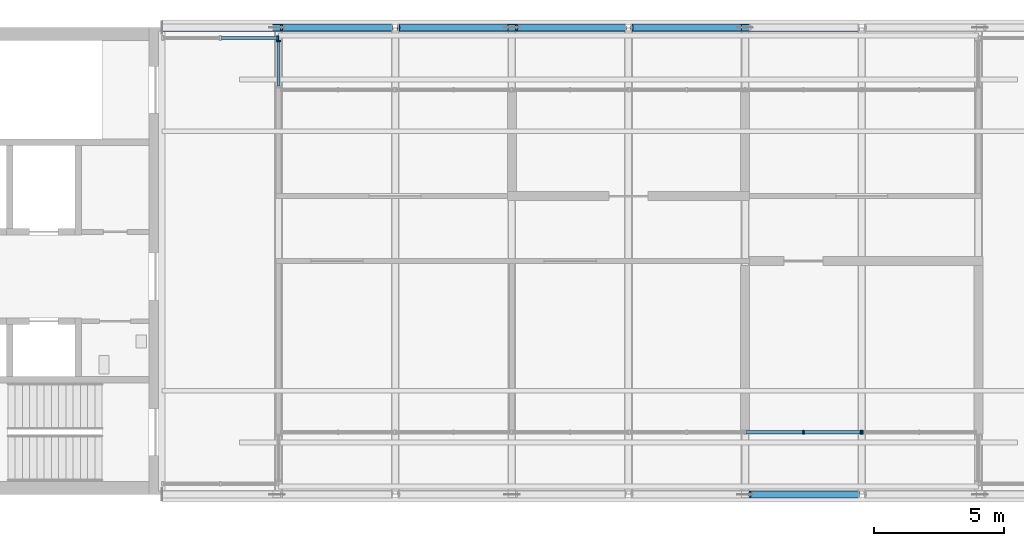
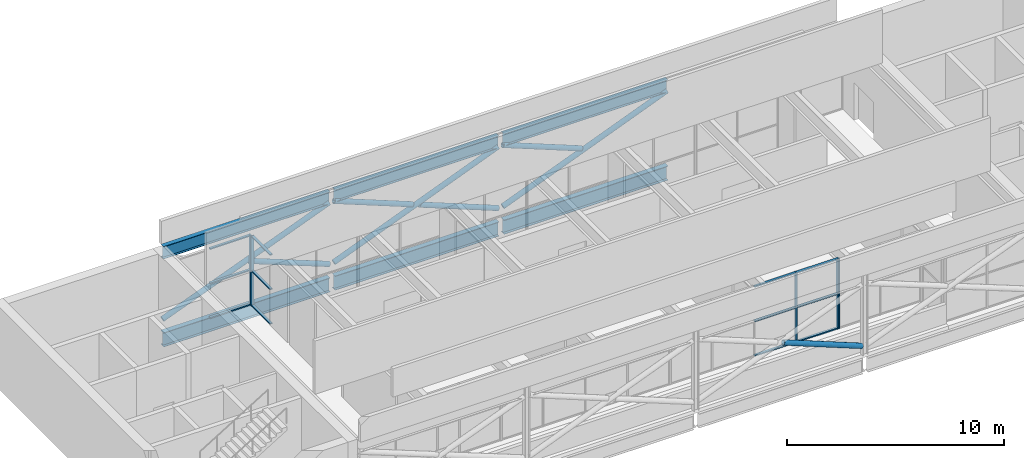
# One storey, part 3 of 13: 25 members, 6 beams, 4 elements without a shape of their own.
"""IFC4 building model written with IfcOpenShell, lengths in metres."""

from ifc_helpers import new_model, si_unit, direction, frame, origin, origin_2d, place, context, subcontext, project, spatial, rectangle, hollow_circle, i_section, extrude, material, layer, layer_set, material_profile, profile_set, type_object, element, aggregate, save


model = new_model("IFC4")

# Units and contexts
model_context = context("Model", 3, precision=1e-05, world=origin(), true_north=direction((0.0, 1.0)))
body_context = subcontext(model_context, "Body", "Model", "MODEL_VIEW")
ifc_project = project(units=[si_unit("LENGTHUNIT", "METRE"), si_unit("AREAUNIT", "SQUARE_METRE"), si_unit("VOLUMEUNIT", "CUBIC_METRE"), si_unit("PLANEANGLEUNIT", "RADIAN"), si_unit("MASSUNIT", "GRAM", prefix="KILO")], contexts=[model_context])

# Site, building, storey
site_placement = place(None, origin())
site = spatial("IfcSite", under=ifc_project, at=site_placement, CompositionType="ELEMENT")
building_placement = place(site_placement, origin())
building = spatial("IfcBuilding", under=site, at=building_placement, Name="Corbel Yard City Hall", CompositionType="ELEMENT")
storey_placement = place(building_placement, frame((0.0, 0.0, 71.199951171875)))
storey = spatial("IfcBuildingStorey", under=building, at=storey_placement, Name="L17", CompositionType="ELEMENT", Elevation=71.199951171875)

# Members
ifc_material_1 = material(Name="Steel Grade C350L0", Category="steel")
ifc_material_profile_1 = material_profile(ifc_material_1, hollow_circle(Radius=0.136474609375, WallThickness=0.00927734375, at=origin_2d()), Name="273.1x9.3CHS")
ifc_profile_set_1 = profile_set([ifc_material_profile_1], Name="Steel Grade C350L0")
member_type_1 = type_object("IfcMemberType", Name="Crown brace 273.1x9.3CHS", PredefinedType="BRACE", material=ifc_profile_set_1)
member_1_placement = place(storey_placement, frame((9.0, 117.0, 0.5), z_axis=(0.93155453229, 0.0, 0.363601641044), x_axis=(0.0, 1.0, 0.0)))
element("IfcMember", 1, at=member_1_placement, inside=storey, type_object=member_type_1, Name="Crown brace 273.1x9.3CHS BX1", PredefinedType="BRACE", context=body_context, shape_type="SweptSolid", body=[
    extrude(hollow_circle(Radius=0.136474609375, WallThickness=0.00927734375, at=origin_2d()), origin(), (0.0, 0.0, 1.0), 9.521728515625),
])
for number, where, z_axis, x_axis, name in (
    (2, (18.1298828125, 117.0, 0.5), (0.929716231841, 0.0, 0.368276700663), (0.0, 1.0, 0.0), "Crown brace 273.1x9.3CHS BX1"),
    (3, (27.1298828125, 117.0, 0.5), (0.929716231841, 0.0, 0.368276700663), (0.0, 1.0, 0.0), "Crown brace 273.1x9.3CHS BX1"),
):
    element("IfcMember", number, at=place(storey_placement, frame(where, z_axis=z_axis, x_axis=x_axis)), inside=storey, type_object=member_type_1, Name=name, PredefinedType="BRACE", context=body_context, shape_type="SweptSolid", body=[
        extrude(hollow_circle(Radius=0.136474609375, WallThickness=0.00927734375, at=origin_2d()), origin(), (0.0, 0.0, 1.0), 9.40087890625),
    ])
ifc_material_profile_2 = material_profile(ifc_material_1, hollow_circle(Radius=0.136474609375, WallThickness=0.00927734375, at=origin_2d()), Name="273.1x9.3CHS")
ifc_profile_set_2 = profile_set([ifc_material_profile_2], Name="Steel Grade C350L0")
member_type_2 = type_object("IfcMemberType", Name="Crown half brace 273.1x9.3CHS", PredefinedType="BRACE", material=ifc_profile_set_2)
member_2_placement = place(storey_placement, frame((31.6826171875, 99.0, 2.15869140625), z_axis=(0.929720022455, 0.0, -0.368267131096), x_axis=(0.0, 1.0, 0.0)))
element("IfcMember", 4, at=member_2_placement, inside=storey, type_object=member_type_2, Name="Crown half brace 273.1x9.3CHS BX2", PredefinedType="BRACE", context=body_context, shape_type="SweptSolid", body=[
    extrude(hollow_circle(Radius=0.136474609375, WallThickness=0.00927734375, at=origin_2d()), origin(), (0.0, 0.0, 1.0), 4.504150390625),
])
member_3_placement = place(storey_placement, frame((13.619873046875, 117.0, 2.158935546875), z_axis=(0.931555075549, 0.0, -0.363600249202), x_axis=(0.0, 1.0, 0.0)))
element("IfcMember", 5, at=member_3_placement, inside=storey, type_object=member_type_2, Name="Crown half brace 273.1x9.3CHS BX2", PredefinedType="BRACE", context=body_context, shape_type="SweptSolid", body=[
    extrude(hollow_circle(Radius=0.136474609375, WallThickness=0.00927734375, at=origin_2d()), origin(), (0.0, 0.0, 1.0), 4.5625),
])
for number, where, z_axis, x_axis, name in (
    (6, (18.1298828125, 117.0, 3.962158203125), (0.929720022455, 0.0, -0.368267131096), (0.0, 1.0, 0.0), "Crown half brace 273.1x9.3CHS BX2"),
    (7, (22.6826171875, 117.0, 2.15869140625), (0.929720022455, 0.0, -0.368267131096), (0.0, 1.0, 0.0), "Crown half brace 273.1x9.3CHS BX2"),
    (8, (27.1298828125, 117.0, 3.962158203125), (0.929720022455, 0.0, -0.368267131096), (0.0, 1.0, 0.0), "Crown half brace 273.1x9.3CHS BX2"),
):
    element("IfcMember", number, at=place(storey_placement, frame(where, z_axis=z_axis, x_axis=x_axis)), inside=storey, type_object=member_type_2, Name=name, PredefinedType="BRACE", context=body_context, shape_type="SweptSolid", body=[
        extrude(hollow_circle(Radius=0.136474609375, WallThickness=0.00927734375, at=origin_2d()), origin(), (0.0, 0.0, 1.0), 4.504150390625),
    ])

# Beams
ifc_material_2 = material(Name="Steel Grade 350", Category="steel")
ifc_material_profile_3 = material_profile(ifc_material_2, i_section(OverallWidth=0.25, OverallDepth=0.699951171875, WebThickness=0.010009765625, FlangeThickness=0.02001953125, at=origin_2d()), Name="700WB130")
ifc_profile_set_3 = profile_set([ifc_material_profile_3], Name="Steel Grade 350")
beam_type_1 = type_object("IfcBeamType", Name="Edge beam 700WB130", PredefinedType="BEAM", material=ifc_profile_set_3)
beam_1_placement = place(storey_placement, frame((9.0, 117.0, 4.300048828125), z_axis=(1.0, 0.0, 0.0), x_axis=(0.0, 1.0, 0.0)))
element("IfcBeam", 9, at=beam_1_placement, inside=storey, type_object=beam_type_1, Name="Edge beam 700WB130 EB9 L17roof", PredefinedType="BEAM", context=body_context, shape_type="SweptSolid", body=[
    extrude(i_section(OverallWidth=0.25, OverallDepth=0.699951171875, WebThickness=0.010009765625, FlangeThickness=0.02001953125, at=origin_2d()), origin(), (0.0, 0.0, 1.0), 8.8701171875),
])
for number, where, z_axis, x_axis, name in (
    (10, (18.1298828125, 117.0, 4.300048828125), (1.0, 0.0, 0.0), (0.0, 1.0, 0.0), "Edge beam 700WB130 EB9 L17roof"),
    (11, (27.1298828125, 117.0, 4.300048828125), (1.0, 0.0, 0.0), (0.0, 1.0, 0.0), "Edge beam 700WB130 EB9 L17roof"),
):
    element("IfcBeam", number, at=place(storey_placement, frame(where, z_axis=z_axis, x_axis=x_axis)), inside=storey, type_object=beam_type_1, Name=name, PredefinedType="BEAM", context=body_context, shape_type="SweptSolid", body=[
        extrude(i_section(OverallWidth=0.25, OverallDepth=0.699951171875, WebThickness=0.010009765625, FlangeThickness=0.02001953125, at=origin_2d()), origin(), (0.0, 0.0, 1.0), 8.740234375),
    ])
ifc_material_profile_4 = material_profile(ifc_material_2, i_section(OverallWidth=0.27490234375, OverallDepth=0.800048828125, WebThickness=0.010009765625, FlangeThickness=0.02001953125, at=origin_2d()), Name="800WB146")
ifc_profile_set_4 = profile_set([ifc_material_profile_4], Name="Steel Grade 350")
beam_type_2 = type_object("IfcBeamType", Name="Edge beam 800WB146", PredefinedType="BEAM", material=ifc_profile_set_4)
beam_2_placement = place(storey_placement, frame((9.0, 117.0, -0.599853515625), z_axis=(1.0, 0.0, 0.0), x_axis=(0.0, 1.0, 0.0)))
element("IfcBeam", 12, at=beam_2_placement, inside=storey, type_object=beam_type_2, Name="Edge beam 800WB146 EB11 L17tower", PredefinedType="BEAM", context=body_context, shape_type="SweptSolid", body=[
    extrude(i_section(OverallWidth=0.27490234375, OverallDepth=0.800048828125, WebThickness=0.010009765625, FlangeThickness=0.02001953125, at=origin_2d()), origin(), (0.0, 0.0, 1.0), 8.8701171875),
])
for number, where, z_axis, x_axis, name in (
    (13, (18.1298828125, 117.0, -0.599853515625), (1.0, 0.0, 0.0), (0.0, 1.0, 0.0), "Edge beam 800WB146 EB11 L17tower"),
    (14, (27.1298828125, 117.0, -0.599853515625), (1.0, 0.0, 0.0), (0.0, 1.0, 0.0), "Edge beam 800WB146 EB11 L17tower"),
):
    element("IfcBeam", number, at=place(storey_placement, frame(where, z_axis=z_axis, x_axis=x_axis)), inside=storey, type_object=beam_type_2, Name=name, PredefinedType="BEAM", context=body_context, shape_type="SweptSolid", body=[
        extrude(i_section(OverallWidth=0.27490234375, OverallDepth=0.800048828125, WebThickness=0.010009765625, FlangeThickness=0.02001953125, at=origin_2d()), origin(), (0.0, 0.0, 1.0), 8.740234375),
    ])

# Curtain wall, members
ifc_material_3 = material(Name="Aluminium extrusion", Category="aluminium")
ifc_layer = layer(ifc_material_3, 0.159912109375)
ifc_layer_set = layer_set([ifc_layer], Name="Aluminium extrusion")
curtain_wall_type = type_object("IfcCurtainWallType", Name="CW8", PredefinedType="USERDEFINED", material=ifc_layer_set)
curtain_wall_1_placement = place(storey_placement, origin())
curtain_wall_1 = element("IfcCurtainWall", 15, at=curtain_wall_1_placement, inside=storey, type_object=curtain_wall_type, Name="Curtain wall CW8 L17", ObjectType="CURTAIN WALL", PredefinedType="USERDEFINED")
ifc_material_profile_5 = material_profile(ifc_material_3, rectangle(XDim=0.159912109375, YDim=0.06494140625, at=origin_2d()), Name="160x65")
ifc_profile_set_5 = profile_set([ifc_material_profile_5], Name="Aluminium extrusion")
member_type_3 = type_object("IfcMemberType", Name="ML8", PredefinedType="MULLION", material=ifc_profile_set_5)
member_4_placement = place(storey_placement, frame((33.75, 101.39990234375, 0.0), z_axis=(0.0, 0.0, 1.0), x_axis=(0.0, 1.0, 0.0)))
member_4 = element("IfcMember", 16, at=member_4_placement, type_object=member_type_3, Name="CW8 mullion 4", PredefinedType="MULLION", context=body_context, shape_type="SweptSolid", body=[
    extrude(rectangle(XDim=0.159912109375, YDim=0.06494140625, at=origin_2d()), origin(), (0.0, 0.0, 1.0), 3.949951171875),
])
member_5_placement = place(storey_placement, frame((35.967529296875, 101.39990234375, 0.0), z_axis=(0.0, 0.0, 1.0), x_axis=(0.0, 1.0, 0.0)))
member_5 = element("IfcMember", 17, at=member_5_placement, type_object=member_type_3, Name="CW8 mullion 5", PredefinedType="MULLION", context=body_context, shape_type="SweptSolid", body=[
    extrude(rectangle(XDim=0.159912109375, YDim=0.06494140625, at=origin_2d()), origin(), (0.0, 0.0, 1.0), 3.949951171875),
])

# Curtain wall, member
curtain_wall_2_placement = place(storey_placement, origin())
curtain_wall_2 = element("IfcCurtainWall", 18, at=curtain_wall_2_placement, inside=storey, type_object=curtain_wall_type, Name="Curtain wall CW8 L17", ObjectType="CURTAIN WALL", PredefinedType="USERDEFINED")
member_6_placement = place(storey_placement, frame((36.032470703125, 101.39990234375, 0.0), z_axis=(0.0, 0.0, 1.0), x_axis=(0.0, 1.0, 0.0)))
member_6 = element("IfcMember", 19, at=member_6_placement, type_object=member_type_3, Name="CW8 mullion 1", PredefinedType="MULLION", context=body_context, shape_type="SweptSolid", body=[
    extrude(rectangle(XDim=0.159912109375, YDim=0.06494140625, at=origin_2d()), origin(), (0.0, 0.0, 1.0), 3.949951171875),
])
aggregate(curtain_wall_2, [member_6])

curtain_wall_3_placement = place(storey_placement, origin())
curtain_wall_3 = element("IfcCurtainWall", 20, at=curtain_wall_3_placement, inside=storey, type_object=curtain_wall_type, Name="Curtain wall CW8 L17", ObjectType="CURTAIN WALL", PredefinedType="USERDEFINED")
member_7_placement = place(storey_placement, frame((13.467529296875, 116.60009765625, 0.0), z_axis=(0.0, 0.0, 1.0), x_axis=(0.0, 1.0, 0.0)))
member_7 = element("IfcMember", 21, at=member_7_placement, type_object=member_type_3, Name="CW8 mullion 3", PredefinedType="MULLION", context=body_context, shape_type="SweptSolid", body=[
    extrude(rectangle(XDim=0.159912109375, YDim=0.06494140625, at=origin_2d()), origin(), (0.0, 0.0, 1.0), 3.949951171875),
])

curtain_wall_4_placement = place(storey_placement, origin())
curtain_wall_4 = element("IfcCurtainWall", 22, at=curtain_wall_4_placement, inside=storey, type_object=curtain_wall_type, Name="Curtain wall CW8 L17", ObjectType="CURTAIN WALL", PredefinedType="USERDEFINED")
member_8_placement = place(storey_placement, frame((13.5, 116.487548828125, 0.0), z_axis=(0.0, 0.0, 1.0), x_axis=(1.0, 0.0, 0.0)))
member_8 = element("IfcMember", 23, at=member_8_placement, type_object=member_type_3, Name="CW8 mullion 1", PredefinedType="MULLION", context=body_context, shape_type="SweptSolid", body=[
    extrude(rectangle(XDim=0.159912109375, YDim=0.06494140625, at=origin_2d()), origin(), (0.0, 0.0, 1.0), 3.949951171875),
])

# Member
ifc_material_profile_6 = material_profile(ifc_material_3, rectangle(XDim=0.1298828125, YDim=0.06494140625, at=origin_2d()), Name="130x65")
ifc_profile_set_6 = profile_set([ifc_material_profile_6], Name="Aluminium extrusion")
member_type_4 = type_object("IfcMemberType", Name="TR8", PredefinedType="USERDEFINED", material=ifc_profile_set_6)
member_9_placement = place(storey_placement, frame((31.532470703125, 101.39990234375, 0.032470703125), z_axis=(1.0, 0.0, 0.0), x_axis=(0.0, 1.0, 0.0)))
member_9 = element("IfcMember", 24, at=member_9_placement, type_object=member_type_4, Name="CW8 transom 3.1", ObjectType="TRANSOM", PredefinedType="USERDEFINED", context=body_context, shape_type="SweptSolid", body=[
    extrude(rectangle(XDim=0.1298828125, YDim=0.06494140625, at=origin_2d()), origin(), (0.0, 0.0, 1.0), 2.18505859375),
])

member_10_placement = place(storey_placement, frame((31.532470703125, 101.39990234375, 1.97509765625), z_axis=(1.0, 0.0, 0.0), x_axis=(0.0, 1.0, 0.0)))
member_10 = element("IfcMember", 25, at=member_10_placement, type_object=member_type_4, Name="CW8 transom 3.2", ObjectType="TRANSOM", PredefinedType="USERDEFINED", context=body_context, shape_type="SweptSolid", body=[
    extrude(rectangle(XDim=0.1298828125, YDim=0.06494140625, at=origin_2d()), origin(), (0.0, 0.0, 1.0), 2.18505859375),
])

member_11_placement = place(storey_placement, frame((31.532470703125, 101.39990234375, 3.91748046875), z_axis=(1.0, 0.0, 0.0), x_axis=(0.0, 1.0, 0.0)))
member_11 = element("IfcMember", 26, at=member_11_placement, type_object=member_type_4, Name="CW8 transom 3.3", ObjectType="TRANSOM", PredefinedType="USERDEFINED", context=body_context, shape_type="SweptSolid", body=[
    extrude(rectangle(XDim=0.1298828125, YDim=0.06494140625, at=origin_2d()), origin(), (0.0, 0.0, 1.0), 2.18505859375),
])

member_12_placement = place(storey_placement, frame((33.782470703125, 101.39990234375, 0.032470703125), z_axis=(1.0, 0.0, 0.0), x_axis=(0.0, 1.0, 0.0)))
member_12 = element("IfcMember", 27, at=member_12_placement, type_object=member_type_4, Name="CW8 transom 4.1", ObjectType="TRANSOM", PredefinedType="USERDEFINED", context=body_context, shape_type="SweptSolid", body=[
    extrude(rectangle(XDim=0.1298828125, YDim=0.06494140625, at=origin_2d()), origin(), (0.0, 0.0, 1.0), 2.152587890625),
])

member_13_placement = place(storey_placement, frame((33.782470703125, 101.39990234375, 1.97509765625), z_axis=(1.0, 0.0, 0.0), x_axis=(0.0, 1.0, 0.0)))
member_13 = element("IfcMember", 28, at=member_13_placement, type_object=member_type_4, Name="CW8 transom 4.2", ObjectType="TRANSOM", PredefinedType="USERDEFINED", context=body_context, shape_type="SweptSolid", body=[
    extrude(rectangle(XDim=0.1298828125, YDim=0.06494140625, at=origin_2d()), origin(), (0.0, 0.0, 1.0), 2.152587890625),
])

member_14_placement = place(storey_placement, frame((33.782470703125, 101.39990234375, 3.91748046875), z_axis=(1.0, 0.0, 0.0), x_axis=(0.0, 1.0, 0.0)))
member_14 = element("IfcMember", 29, at=member_14_placement, type_object=member_type_4, Name="CW8 transom 4.3", ObjectType="TRANSOM", PredefinedType="USERDEFINED", context=body_context, shape_type="SweptSolid", body=[
    extrude(rectangle(XDim=0.1298828125, YDim=0.06494140625, at=origin_2d()), origin(), (0.0, 0.0, 1.0), 2.152587890625),
])

aggregate(curtain_wall_1, [member_4, member_5, member_9, member_10, member_11, member_12, member_13, member_14])

member_15_placement = place(storey_placement, frame((11.282470703125, 116.60009765625, 0.032470703125), z_axis=(1.0, 0.0, 0.0), x_axis=(0.0, 1.0, 0.0)))
member_15 = element("IfcMember", 30, at=member_15_placement, type_object=member_type_4, Name="CW8 transom 2.1", ObjectType="TRANSOM", PredefinedType="USERDEFINED", context=body_context, shape_type="SweptSolid", body=[
    extrude(rectangle(XDim=0.1298828125, YDim=0.06494140625, at=origin_2d()), origin(), (0.0, 0.0, 1.0), 2.152587890625),
])

member_16_placement = place(storey_placement, frame((11.282470703125, 116.60009765625, 1.97509765625), z_axis=(1.0, 0.0, 0.0), x_axis=(0.0, 1.0, 0.0)))
member_16 = element("IfcMember", 31, at=member_16_placement, type_object=member_type_4, Name="CW8 transom 2.2", ObjectType="TRANSOM", PredefinedType="USERDEFINED", context=body_context, shape_type="SweptSolid", body=[
    extrude(rectangle(XDim=0.1298828125, YDim=0.06494140625, at=origin_2d()), origin(), (0.0, 0.0, 1.0), 2.152587890625),
])

member_17_placement = place(storey_placement, frame((11.282470703125, 116.60009765625, 3.91748046875), z_axis=(1.0, 0.0, 0.0), x_axis=(0.0, 1.0, 0.0)))
member_17 = element("IfcMember", 32, at=member_17_placement, type_object=member_type_4, Name="CW8 transom 2.3", ObjectType="TRANSOM", PredefinedType="USERDEFINED", context=body_context, shape_type="SweptSolid", body=[
    extrude(rectangle(XDim=0.1298828125, YDim=0.06494140625, at=origin_2d()), origin(), (0.0, 0.0, 1.0), 2.152587890625),
])

aggregate(curtain_wall_3, [member_7, member_15, member_16, member_17])

member_18_placement = place(storey_placement, frame((13.5, 116.455078125, 0.032470703125), z_axis=(0.0, -1.0, 0.0), x_axis=(1.0, 0.0, 0.0)))
member_18 = element("IfcMember", 33, at=member_18_placement, type_object=member_type_4, Name="CW8 transom 1.1", ObjectType="TRANSOM", PredefinedType="USERDEFINED", context=body_context, shape_type="SweptSolid", body=[
    extrude(rectangle(XDim=0.1298828125, YDim=0.06494140625, at=origin_2d()), origin(), (0.0, 0.0, 1.0), 1.7099609375),
])

member_19_placement = place(storey_placement, frame((13.5, 116.455078125, 1.97509765625), z_axis=(0.0, -1.0, 0.0), x_axis=(1.0, 0.0, 0.0)))
member_19 = element("IfcMember", 34, at=member_19_placement, type_object=member_type_4, Name="CW8 transom 1.2", ObjectType="TRANSOM", PredefinedType="USERDEFINED", context=body_context, shape_type="SweptSolid", body=[
    extrude(rectangle(XDim=0.1298828125, YDim=0.06494140625, at=origin_2d()), origin(), (0.0, 0.0, 1.0), 1.7099609375),
])

member_20_placement = place(storey_placement, frame((13.5, 116.455078125, 3.91748046875), z_axis=(0.0, -1.0, 0.0), x_axis=(1.0, 0.0, 0.0)))
member_20 = element("IfcMember", 35, at=member_20_placement, type_object=member_type_4, Name="CW8 transom 1.3", ObjectType="TRANSOM", PredefinedType="USERDEFINED", context=body_context, shape_type="SweptSolid", body=[
    extrude(rectangle(XDim=0.1298828125, YDim=0.06494140625, at=origin_2d()), origin(), (0.0, 0.0, 1.0), 1.7099609375),
])

aggregate(curtain_wall_4, [member_8, member_18, member_19, member_20])

save(model, "model.ifc")
